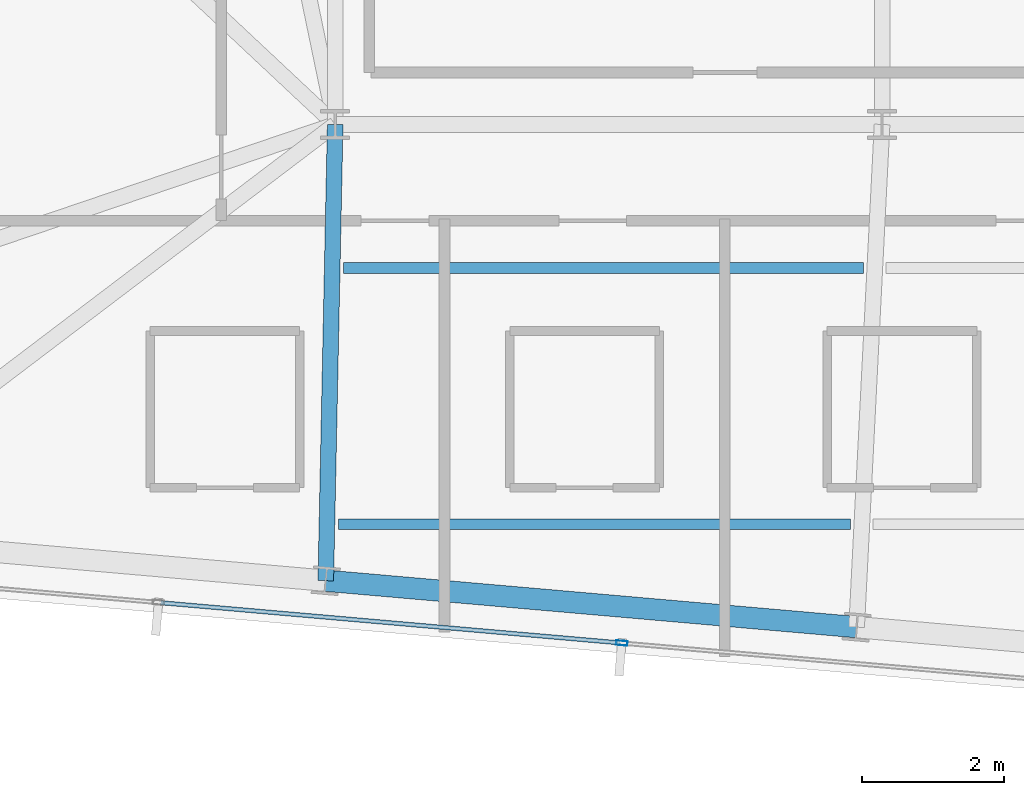
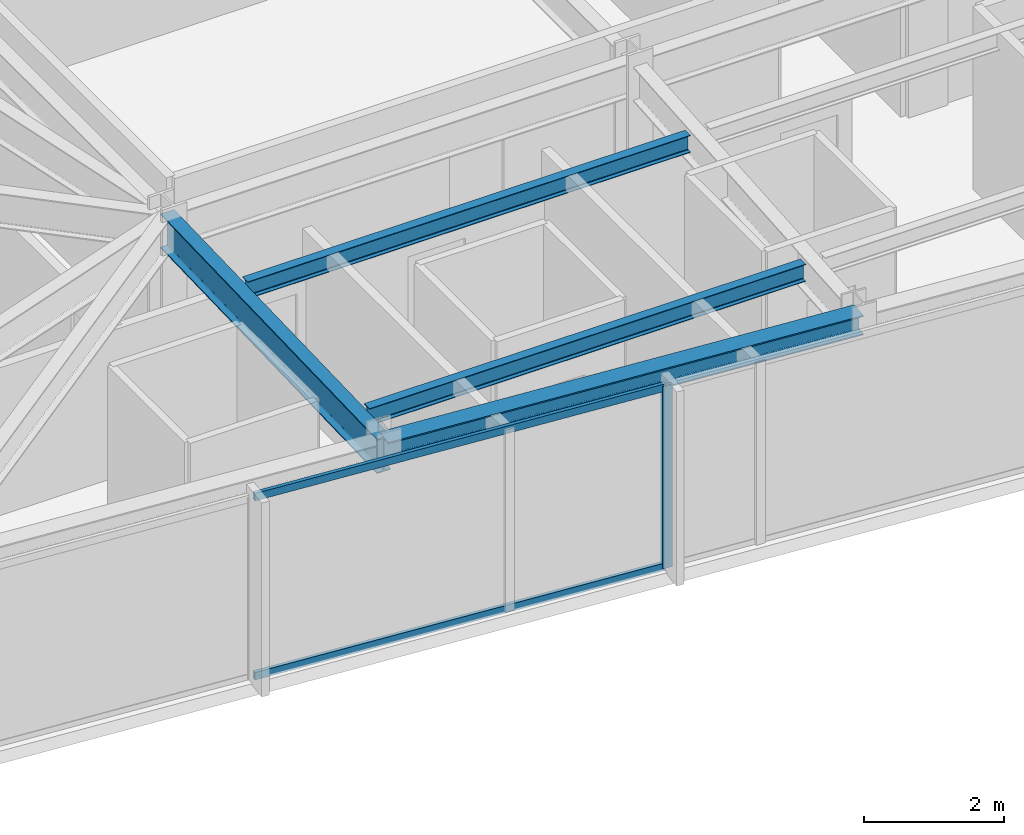
# One storey, part 6 of 33: 4 beams, 3 members, 1 element without a shape of its own.
"""IFC4 building model written with IfcOpenShell, lengths in metres."""

import ifcopenshell
import ifcopenshell.guid

model = None  # the IFC model being written
_history = None  # IfcOwnerHistory: only IFC2X3 demands one
_inside = {}  # id of a spatial element -> (the spatial element, [elements in it])
_under = {}  # id of a project, library or spatial element -> (it, [spatial elements below it])
_declared = {}  # id of a project -> (the project, [libraries it declares])
_typed = {}  # id of a type object -> (the type object, [elements of that type])
_made_of = {}  # id of a material, layer set ... -> (it, [elements and type objects made of it])


def new_model(schema):
    """Start an empty IFC model of exactly this schema.

    Asked for "IFC4X3", IfcOpenShell would pick the latest addendum, in which some entities
    have other attributes; the version numbers below select the first issue.
    IFC2X3 requires an IfcOwnerHistory on every rooted entity: one is made here for all.
    """
    global model, _history
    if schema == "IFC4X3":
        model = ifcopenshell.file(schema_version=(4, 3, 0, 0))
    else:
        model = ifcopenshell.file(schema=schema)
    _inside.clear()
    _under.clear()
    _declared.clear()
    _typed.clear()
    _made_of.clear()
    _history = None
    if model.schema == "IFC2X3":
        org = make("IfcOrganization", Name="unknown")
        user = make(
            "IfcPersonAndOrganization",
            ThePerson=make("IfcPerson", FamilyName="unknown"),
            TheOrganization=org,
        )
        app = make(
            "IfcApplication",
            ApplicationDeveloper=org,
            Version="unknown",
            ApplicationFullName="unknown",
            ApplicationIdentifier="unknown",
        )
        _history = make(
            "IfcOwnerHistory",
            OwningUser=user,
            OwningApplication=app,
            ChangeAction="ADDED",
            CreationDate=0,
        )
    return model


def make(cls, **values):
    """One entity of the class cls with the attributes given. An attribute that is None is left unset."""
    return model.create_entity(
        cls, **{name: value for name, value in values.items() if value is not None}
    )


def rooted(cls, **values):
    """An entity with a GlobalId (a new one), such as an element, a storey or a relation."""
    return make(cls, GlobalId=ifcopenshell.guid.new(), OwnerHistory=_history, **values)


def si_unit(unit_type, name, prefix=None):
    """IfcSIUnit, for example si_unit("LENGTHUNIT", "METRE", prefix="MILLI")."""
    return make("IfcSIUnit", UnitType=unit_type, Prefix=prefix, Name=name)


def assignment(units):
    """IfcUnitAssignment: the units of a project."""
    return None if units is None else make("IfcUnitAssignment", Units=units)


def point(xyz):
    """IfcCartesianPoint."""
    return None if xyz is None else make("IfcCartesianPoint", Coordinates=xyz)


def direction(xyz):
    """IfcDirection."""
    return None if xyz is None else make("IfcDirection", DirectionRatios=xyz)


def frame(location, z_axis=None, x_axis=None):
    """IfcAxis2Placement3D, a coordinate frame: its origin and axes. An axis left out is left unset."""
    return make(
        "IfcAxis2Placement3D",
        Location=point(location),
        Axis=direction(z_axis),
        RefDirection=direction(x_axis),
    )


def frame_2d(location, x_axis=None):
    """IfcAxis2Placement2D, a coordinate frame in the plane: its origin and x axis."""
    return make(
        "IfcAxis2Placement2D", Location=point(location), RefDirection=direction(x_axis)
    )


def origin():
    """The frame at (0, 0, 0) with its axes left unset."""
    return frame((0.0, 0.0, 0.0))


def origin_2d():
    """The frame at (0, 0) in the plane with its x axis left unset."""
    return frame_2d((0.0, 0.0))


def place(relative_to, where):
    """IfcLocalPlacement: puts the frame where relative to a parent placement (None: the world)."""
    return make(
        "IfcLocalPlacement", PlacementRelTo=relative_to, RelativePlacement=where
    )


def context(
    kind, dimensions, precision=None, world=None, true_north=None, identifier=None
):
    """IfcGeometricRepresentationContext, for example the 3D "Model" context."""
    return make(
        "IfcGeometricRepresentationContext",
        ContextIdentifier=identifier,
        ContextType=kind,
        CoordinateSpaceDimension=dimensions,
        Precision=precision,
        WorldCoordinateSystem=world,
        TrueNorth=true_north,
    )


def subcontext(parent, identifier, kind, view, scale=None):
    """IfcGeometricRepresentationSubContext, for example "Body" below "Model"."""
    return make(
        "IfcGeometricRepresentationSubContext",
        ContextIdentifier=identifier,
        ContextType=kind,
        ParentContext=parent,
        TargetScale=scale,
        TargetView=view,
    )


def project(units=None, contexts=None):
    """IfcProject with its units and contexts."""
    return rooted(
        "IfcProject",
        Name="project",
        RepresentationContexts=contexts,
        UnitsInContext=assignment(units),
    )


def spatial(cls, under=None, at=None, **own):
    """A site, building, storey or space (cls), placed at a placement, below another one or the project."""
    s = rooted(cls, ObjectPlacement=at, **own)
    if under is not None:
        _under.setdefault(under.id(), (under, []))[1].append(s)
    return s


def profile(cls, at=None, kind="AREA", **sizes):
    """A parametric profile (cls). Its sizes go by their IFC names, for example OverallWidth=200.0."""
    return make(cls, ProfileType=kind, Position=at, **sizes)


def hollow_rectangle(**sizes):
    """IfcRectangleHollowProfileDef."""
    return profile("IfcRectangleHollowProfileDef", **sizes)


def i_section(**sizes):
    """IfcIShapeProfileDef."""
    return profile("IfcIShapeProfileDef", **sizes)


def extrude(swept, where, along, depth):
    """IfcExtrudedAreaSolid: the profile swept, set in the frame where, extruded along a direction by depth."""
    return make(
        "IfcExtrudedAreaSolid",
        SweptArea=swept,
        Position=where,
        ExtrudedDirection=direction(along),
        Depth=depth,
    )


def shape(context_of_items, identifier, shape_type, items):
    """IfcShapeRepresentation: the items that make up one representation, for example the "Body"."""
    return make(
        "IfcShapeRepresentation",
        ContextOfItems=context_of_items,
        RepresentationIdentifier=identifier,
        RepresentationType=shape_type,
        Items=items,
    )


def material(Name=None, Category=None):
    """IfcMaterial."""
    return make("IfcMaterial", Name=Name, Category=Category)


def material_profile(
    of_material, cross_section, Name=None, Category=None, Priority=None
):
    """IfcMaterialProfile: a cross section and its material."""
    return make(
        "IfcMaterialProfile",
        Name=Name,
        Material=of_material,
        Profile=cross_section,
        Priority=Priority,
        Category=Category,
    )


def profile_set(profiles, Name=None, composite=None):
    """IfcMaterialProfileSet."""
    return make(
        "IfcMaterialProfileSet",
        Name=Name,
        MaterialProfiles=profiles,
        CompositeProfile=composite,
    )


def made_of(thing, what):
    """Note that an element or type object is made of a material, layer set ...; save() writes the relation."""
    if what is not None:
        _made_of.setdefault(what.id(), (what, []))[1].append(thing)
    return thing


def type_object(cls, material=None, **own):
    """A type object (cls), such as IfcWallType, which elements share."""
    return made_of(rooted(cls, **own), material)


def element(
    cls,
    number,
    at=None,
    inside=None,
    cuts=None,
    type_object=None,
    material=None,
    context=None,
    identifier="Body",
    shape_type=None,
    held_by="IfcProductDefinitionShape",
    body=None,
    shapes=None,
    **own,
):
    """One element of the class cls, such as IfcWall. Its Tag is "e" and its number.

    at: its placement. inside: the storey or other place that contains it. cuts: it is an
    opening in that element (IfcRelVoidsElement). A single representation is given by context,
    identifier, shape_type and body (its items); several are given by shapes. held_by: the class
    of the entity that holds the representations. save() writes the other relations.
    """
    e = rooted(cls, Tag="e%d" % number, ObjectPlacement=at, **own)
    if body is not None:
        shapes = [shape(context, identifier, shape_type, body)]
    if shapes is not None:
        e.Representation = make(held_by, Representations=shapes)
    if inside is not None:
        _inside.setdefault(inside.id(), (inside, []))[1].append(e)
    if cuts is not None:
        rooted(
            "IfcRelVoidsElement", RelatingBuildingElement=cuts, RelatedOpeningElement=e
        )
    if type_object is not None:
        _typed.setdefault(type_object.id(), (type_object, []))[1].append(e)
    return made_of(e, material)


def aggregate(whole, parts):
    """IfcRelAggregates: a whole, such as a stair, and the parts it consists of."""
    return rooted("IfcRelAggregates", RelatingObject=whole, RelatedObjects=parts)


def save(model, path):
    """Write the relations noted so far, then the file.

    IfcRelAggregates (storeys below a building ...), IfcRelContainedInSpatialStructure (elements
    in a storey), IfcRelDefinesByType, IfcRelAssociatesMaterial and IfcRelDeclares: one each for
    every whole, place, type object, material and project.
    """
    for whole, parts in _under.values():
        aggregate(whole, parts)
    for where, things in _inside.values():
        rooted(
            "IfcRelContainedInSpatialStructure",
            RelatedElements=things,
            RelatingStructure=where,
        )
    for kind, things in _typed.values():
        rooted("IfcRelDefinesByType", RelatedObjects=things, RelatingType=kind)
    for what, things in _made_of.values():
        rooted("IfcRelAssociatesMaterial", RelatedObjects=things, RelatingMaterial=what)
    for by, libraries in _declared.values():
        rooted("IfcRelDeclares", RelatingContext=by, RelatedDefinitions=libraries)
    model.write(path)


model = new_model("IFC4")

# Units and contexts
model_context = context("Model", 3, precision=1e-05, world=origin(), true_north=direction((0.0, 1.0)))
body_context = subcontext(model_context, "Body", "Model", "MODEL_VIEW")
ifc_project = project(units=[si_unit("LENGTHUNIT", "METRE"), si_unit("AREAUNIT", "SQUARE_METRE"), si_unit("VOLUMEUNIT", "CUBIC_METRE"), si_unit("PLANEANGLEUNIT", "RADIAN"), si_unit("MASSUNIT", "GRAM", prefix="KILO")], contexts=[model_context])

# Site, building, storey
site_placement = place(None, origin())
site = spatial("IfcSite", under=ifc_project, at=site_placement, CompositionType="ELEMENT")
building_placement = place(site_placement, origin())
building = spatial("IfcBuilding", under=site, at=building_placement, Name="Yelkora Congress Tower", CompositionType="ELEMENT")
storey_placement = place(building_placement, frame((0.0, 0.0, 286.300048828125)))
storey = spatial("IfcBuildingStorey", under=building, at=storey_placement, Name="L80", CompositionType="ELEMENT", Elevation=286.300048828125)

# Beams
ifc_material_1 = material(Name="Steel S355J2", Category="steel")
ifc_material_profile_1 = material_profile(ifc_material_1, i_section(OverallWidth=0.219970703125, OverallDepth=0.60009765625, WebThickness=0.011962890625, FlangeThickness=0.01904296875, FilletRadius=0.02392578125, at=origin_2d()), Name="IPE 600")
ifc_profile_set_1 = profile_set([ifc_material_profile_1], Name="Steel S355J2")
beam_type_1 = type_object("IfcBeamType", Name="BM-GIRD-IPE600", PredefinedType="BEAM", material=ifc_profile_set_1)
beam_1_placement = place(storey_placement, frame((22.90771484375, 18.793212890625, 2.8798828125), z_axis=(0.020649509667, 0.999786776143, 0.0), x_axis=(-0.999786776143, 0.020649509667, 0.0)))
element("IfcBeam", 1, at=beam_1_placement, inside=storey, type_object=beam_type_1, Name="L80 Primary Frame Girder S03", PredefinedType="BEAM", context=body_context, shape_type="SweptSolid", body=[
    extrude(i_section(OverallWidth=0.219970703125, OverallDepth=0.60009765625, WebThickness=0.011962890625, FlangeThickness=0.01904296875, FilletRadius=0.02392578125, at=origin_2d()), origin(), (0.0, 0.0, 1.0), 6.408203125),
])
ifc_material_profile_2 = material_profile(ifc_material_1, i_section(OverallWidth=0.14990234375, OverallDepth=0.300048828125, WebThickness=0.007080078125, FlangeThickness=0.0107421875, FilletRadius=0.014892578125, at=origin_2d()), Name="IPE 300")
ifc_profile_set_2 = profile_set([ifc_material_profile_2], Name="Steel S355J2")
beam_type_2 = type_object("IfcBeamType", Name="BM-JOIST-IPE300", PredefinedType="JOIST", material=ifc_profile_set_2)
beam_2_placement = place(storey_placement, frame((23.083984375, 19.58447265625, 3.030029296875), z_axis=(1.0, 0.0, 0.0), x_axis=(0.0, 1.0, 0.0)))
element("IfcBeam", 2, at=beam_2_placement, inside=storey, type_object=beam_type_2, Name="L80 Composite Floor Joist 1", PredefinedType="JOIST", context=body_context, shape_type="SweptSolid", body=[
    extrude(i_section(OverallWidth=0.14990234375, OverallDepth=0.300048828125, WebThickness=0.007080078125, FlangeThickness=0.0107421875, FilletRadius=0.014892578125, at=origin_2d()), origin(), (0.0, 0.0, 1.0), 7.191650390625),
])
beam_3_placement = place(storey_placement, frame((23.158447265625, 23.1845703125, 3.030029296875), z_axis=(1.0, 0.0, 0.0), x_axis=(0.0, 1.0, 0.0)))
element("IfcBeam", 3, at=beam_3_placement, inside=storey, type_object=beam_type_2, Name="L80 Composite Floor Joist 5", PredefinedType="JOIST", context=body_context, shape_type="SweptSolid", body=[
    extrude(i_section(OverallWidth=0.14990234375, OverallDepth=0.300048828125, WebThickness=0.007080078125, FlangeThickness=0.0107421875, FilletRadius=0.014892578125, at=origin_2d()), origin(), (0.0, 0.0, 1.0), 7.299560546875),
])
ifc_material_profile_3 = material_profile(ifc_material_1, i_section(OverallWidth=0.300048828125, OverallDepth=0.340087890625, WebThickness=0.011962890625, FlangeThickness=0.021484375, FilletRadius=0.027099609375, at=origin_2d()), Name="HEB 340")
ifc_profile_set_3 = profile_set([ifc_material_profile_3], Name="Steel S355J2")
beam_type_3 = type_object("IfcBeamType", Name="BM-SPAN-HEB340", PredefinedType="SPANDREL", material=ifc_profile_set_3)
beam_4_placement = place(storey_placement, frame((22.90771484375, 18.793212890625, 3.010009765625), z_axis=(0.99619601894, -0.087140644067, 0.0), x_axis=(0.087140644067, 0.99619601894, 0.0)))
element("IfcBeam", 4, at=beam_4_placement, inside=storey, type_object=beam_type_3, Name="L80 Perimeter Beam 3", PredefinedType="SPANDREL", context=body_context, shape_type="SweptSolid", body=[
    extrude(i_section(OverallWidth=0.300048828125, OverallDepth=0.340087890625, WebThickness=0.011962890625, FlangeThickness=0.021484375, FilletRadius=0.027099609375, at=origin_2d()), origin(), (0.0, 0.0, 1.0), 7.4833984375),
])

# Curtain wall, members
ifc_material_2 = material(Name="Anodised aluminium and insulated glass", Category="aluminium")
curtain_wall_type = type_object("IfcCurtainWallType", Name="CW-SYS-B5", PredefinedType="NOTDEFINED", material=ifc_material_2)
curtain_wall_placement = place(storey_placement, origin())
curtain_wall = element("IfcCurtainWall", 5, at=curtain_wall_placement, inside=storey, type_object=curtain_wall_type, Name="L80 Unitised Curtain Wall 20", PredefinedType="NOTDEFINED")
ifc_material_3 = material(Name="Anodised aluminium 6063-T6", Category="aluminium")
ifc_material_profile_4 = material_profile(ifc_material_3, hollow_rectangle(XDim=0.06494140625, YDim=0.159912109375, WallThickness=0.00390625, at=origin_2d()), Name="ALU 65x160x4")
ifc_profile_set_4 = profile_set([ifc_material_profile_4], Name="Anodised aluminium 6063-T6")
member_type_1 = type_object("IfcMemberType", Name="MEM-ML-B5", PredefinedType="MULLION", material=ifc_profile_set_4)
member_1_placement = place(storey_placement, frame((27.06494140625, 17.917724609375, 0.0), z_axis=(0.0, 0.0, 1.0), x_axis=(-0.087156829793, -0.996194602987, 0.0)))
member_1 = element("IfcMember", 6, at=member_1_placement, type_object=member_type_1, Name="CW-B5 mullion 5", PredefinedType="MULLION", context=body_context, shape_type="SweptSolid", body=[
    extrude(hollow_rectangle(XDim=0.06494140625, YDim=0.159912109375, WallThickness=0.00390625, at=origin_2d()), origin(), (0.0, 0.0, 1.0), 3.179931640625),
])
ifc_material_profile_5 = material_profile(ifc_material_3, hollow_rectangle(XDim=0.06005859375, YDim=0.1298828125, WallThickness=0.00390625, at=origin_2d()), Name="ALU 60x130x4")
ifc_profile_set_5 = profile_set([ifc_material_profile_5], Name="Anodised aluminium 6063-T6")
member_type_2 = type_object("IfcMemberType", Name="MEM-TR-B5", PredefinedType="USERDEFINED", material=ifc_profile_set_5)
member_2_placement = place(storey_placement, frame((27.032470703125, 17.920654296875, 0.030029296875), z_axis=(-0.996196257862, 0.087137912649, 0.0), x_axis=(-0.087137912649, -0.996196257862, 0.0)))
member_2 = element("IfcMember", 7, at=member_2_placement, type_object=member_type_2, Name="CW-B5 transom 5.1", ObjectType="TRANSOM", PredefinedType="USERDEFINED", context=body_context, shape_type="SweptSolid", body=[
    extrude(hollow_rectangle(XDim=0.06005859375, YDim=0.1298828125, WallThickness=0.00390625, at=origin_2d()), origin(), (0.0, 0.0, 1.0), 6.466552734375),
])
member_3_placement = place(storey_placement, frame((27.032470703125, 17.920654296875, 3.14990234375), z_axis=(-0.996196257862, 0.087137912649, 0.0), x_axis=(-0.087137912649, -0.996196257862, 0.0)))
member_3 = element("IfcMember", 8, at=member_3_placement, type_object=member_type_2, Name="CW-B5 transom 5.2", ObjectType="TRANSOM", PredefinedType="USERDEFINED", context=body_context, shape_type="SweptSolid", body=[
    extrude(hollow_rectangle(XDim=0.06005859375, YDim=0.1298828125, WallThickness=0.00390625, at=origin_2d()), origin(), (0.0, 0.0, 1.0), 6.466552734375),
])
aggregate(curtain_wall, [member_1, member_2, member_3])

save(model, "model.ifc")
